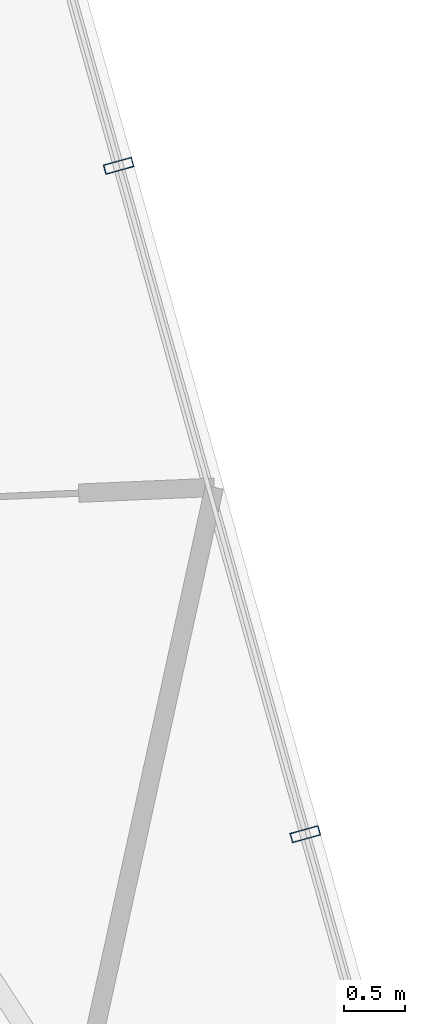
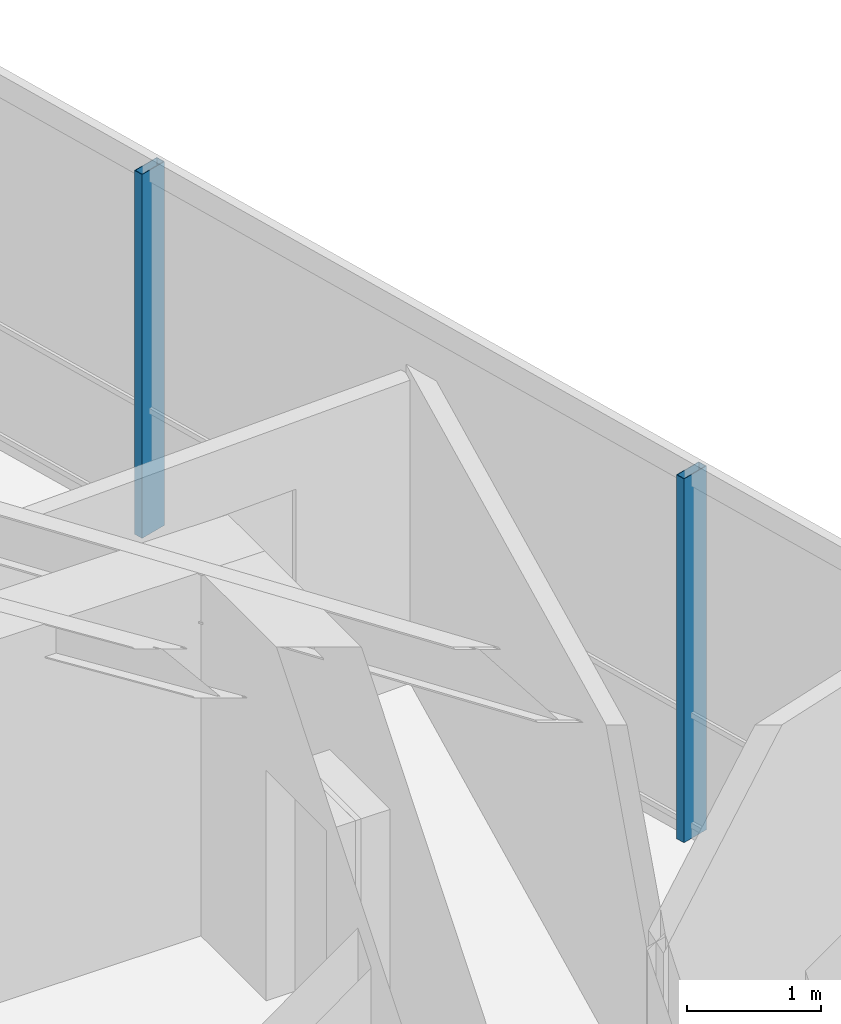
# One storey, part 12 of 18: 2 members, 1 element without a shape of its own.
"""IFC4 building model written with IfcOpenShell, lengths in metres."""

from ifc_helpers import new_model, si_unit, direction, frame, origin, origin_2d, place, context, subcontext, project, spatial, hollow_rectangle, extrude, material, layer, layer_set, material_profile, profile_set, type_object, element, aggregate, save


model = new_model("IFC4")

# Units and contexts
model_context = context("Model", 3, precision=1e-05, world=origin(), true_north=direction((0.0, 1.0)))
body_context = subcontext(model_context, "Body", "Model", "MODEL_VIEW")
ifc_project = project(units=[si_unit("LENGTHUNIT", "METRE"), si_unit("AREAUNIT", "SQUARE_METRE"), si_unit("VOLUMEUNIT", "CUBIC_METRE"), si_unit("PLANEANGLEUNIT", "RADIAN"), si_unit("MASSUNIT", "GRAM", prefix="KILO")], contexts=[model_context])

# Site, building, storey
site_placement = place(None, origin())
site = spatial("IfcSite", under=ifc_project, at=site_placement, CompositionType="ELEMENT")
building_placement = place(site_placement, origin())
building = spatial("IfcBuilding", under=site, at=building_placement, Name="Qarnah Convention Tower", CompositionType="ELEMENT")
storey_placement = place(building_placement, frame((0.0, 0.0, 239.10009765625)))
storey = spatial("IfcBuildingStorey", under=building, at=storey_placement, Name="L64", CompositionType="ELEMENT", Elevation=239.10009765625)

# Curtain wall, members
ifc_material_1 = material(Name="Tempered Low-E dark glass", Category="glass")
ifc_layer = layer(ifc_material_1, 0.176025390625)
ifc_layer_set = layer_set([ifc_layer], Name="Tempered Low-E dark glass")
curtain_wall_type = type_object("IfcCurtainWallType", Name="CWS-05", PredefinedType="NOTDEFINED", material=ifc_layer_set)
curtain_wall_placement = place(storey_placement, origin())
curtain_wall = element("IfcCurtainWall", 1, at=curtain_wall_placement, inside=storey, type_object=curtain_wall_type, Name="L64 unitised curtain wall CW-L64-F3", PredefinedType="NOTDEFINED")
ifc_material_2 = material(Name="Black anodised aluminium", Category="aluminium")
ifc_material_profile = material_profile(ifc_material_2, hollow_rectangle(XDim=0.080078125, YDim=0.239990234375, WallThickness=0.0048828125, at=origin_2d()), Name="MUL-80X240")
ifc_profile_set = profile_set([ifc_material_profile], Name="Black anodised aluminium")
member_type = type_object("IfcMemberType", Name="MUL-T5", PredefinedType="MULLION", material=ifc_profile_set)
member_1_placement = place(storey_placement, frame((49.638427734375, 38.701416015625, 0.0), z_axis=(0.0, 0.0, 1.0), x_axis=(0.268928377077, -0.96316017775, 0.0)))
member_1 = element("IfcMember", 2, at=member_1_placement, type_object=member_type, Name="CW-L64-F3 mullion 2", PredefinedType="MULLION", context=body_context, shape_type="SweptSolid", body=[
    extrude(hollow_rectangle(XDim=0.080078125, YDim=0.239990234375, WallThickness=0.0048828125, at=origin_2d()), origin(), (0.0, 0.0, 1.0), 3.31982421875),
])
member_2_placement = place(storey_placement, frame((51.162841796875, 33.24169921875, 0.0), z_axis=(0.0, 0.0, 1.0), x_axis=(0.268928377077, -0.96316017775, 0.0)))
member_2 = element("IfcMember", 3, at=member_2_placement, type_object=member_type, Name="CW-L64-F3 mullion 3", PredefinedType="MULLION", context=body_context, shape_type="SweptSolid", body=[
    extrude(hollow_rectangle(XDim=0.080078125, YDim=0.239990234375, WallThickness=0.0048828125, at=origin_2d()), origin(), (0.0, 0.0, 1.0), 3.31982421875),
])
aggregate(curtain_wall, [member_1, member_2])

save(model, "model.ifc")
